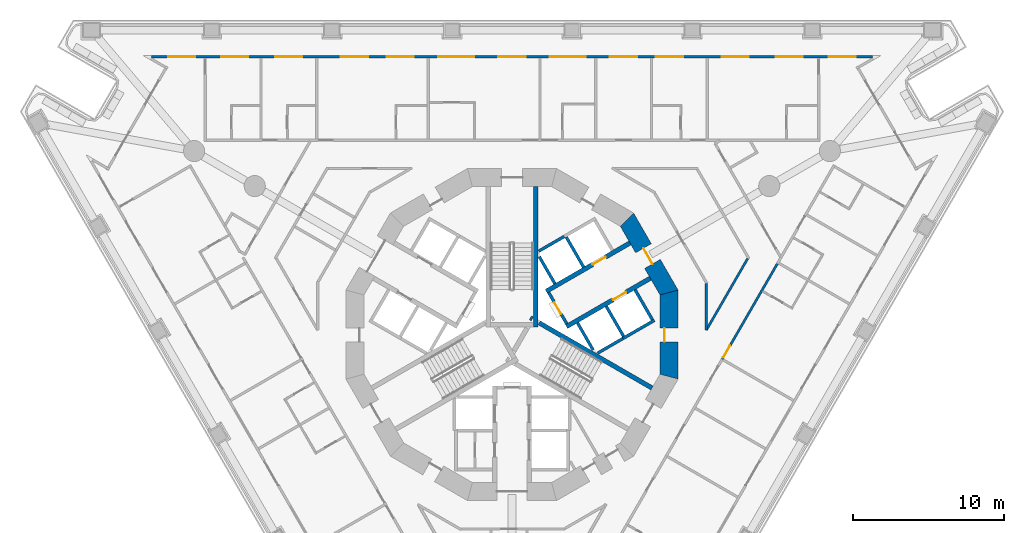
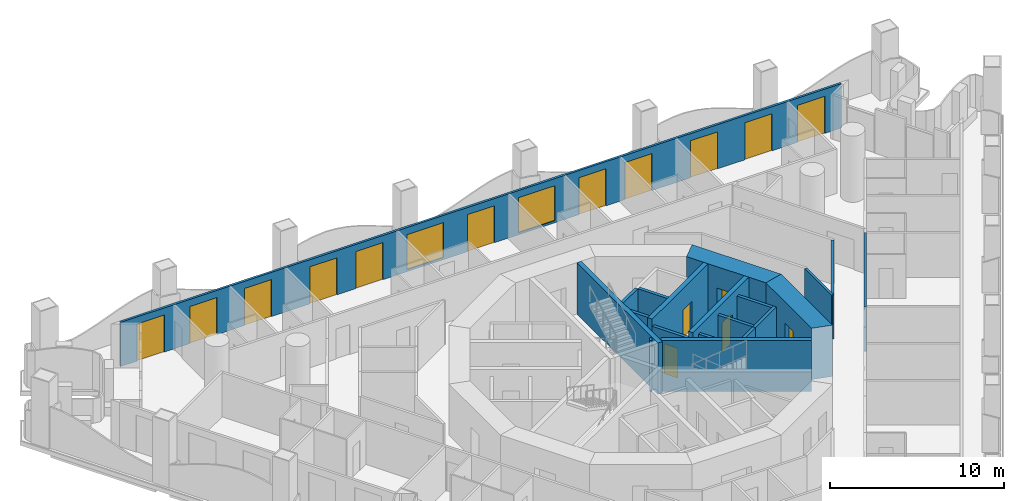
# One storey, part 8 of 19: 20 walls, 17 doors, 2 windows, 19 openings.
"""IFC4 building model written with IfcOpenShell, lengths in metres."""

from ifc_helpers import new_model, si_unit, direction, frame, frame_2d, origin, place, context, subcontext, project, spatial, polyline, rectangle, outline, extrude, material, layer, layer_set, type_object, element, fill, save


model = new_model("IFC4")

# Units and contexts
model_context = context("Model", 3, precision=1e-05, world=origin(), true_north=direction((0.0, 1.0)))
body_context = subcontext(model_context, "Body", "Model", "MODEL_VIEW")
ifc_project = project(units=[si_unit("LENGTHUNIT", "METRE"), si_unit("AREAUNIT", "SQUARE_METRE"), si_unit("VOLUMEUNIT", "CUBIC_METRE"), si_unit("PLANEANGLEUNIT", "RADIAN"), si_unit("MASSUNIT", "GRAM", prefix="KILO")], contexts=[model_context])

# Site, building, storey
site_placement = place(None, origin())
site = spatial("IfcSite", under=ifc_project, at=site_placement, CompositionType="ELEMENT")
building_placement = place(site_placement, origin())
building = spatial("IfcBuilding", under=site, at=building_placement, Name="Trine Commons Tower", CompositionType="ELEMENT")
storey_placement = place(building_placement, frame((0.0, 0.0, 42.300048828125)))
storey = spatial("IfcBuildingStorey", under=building, at=storey_placement, Name="L09", CompositionType="ELEMENT", Elevation=42.300048828125)

# Wall, openings, windows, doors
ifc_material_1 = material(Name="Aluminium-framed insulated wall panel", Category="aluminium")
ifc_layer_1 = layer(ifc_material_1, 0.14990234375)
ifc_layer_set_1 = layer_set([ifc_layer_1], Name="Aluminium-framed insulated wall panel")
wall_type_1 = type_object("IfcWallType", Name="Glazed frame wall 150, EI 60", PredefinedType="SOLIDWALL", material=ifc_layer_set_1)
wall_1_placement = place(storey_placement, frame((55.956787109375, 80.919677734375, 0.0), z_axis=(0.0, 0.0, 1.0), x_axis=(1.0, 0.0, 0.0)))
wall_1 = element("IfcWall", 1, at=wall_1_placement, inside=storey, type_object=wall_type_1, Name="Glazed frame wall F1", PredefinedType="SOLIDWALL", context=body_context, shape_type="SweptSolid", body=[
    extrude(outline(polyline([(0.1494140625, 0.074951171875), (0.1494140625, -0.074951171875), (47.93701171875, -0.074951171875), (47.93701171875, 0.074951171875), (0.1494140625, 0.074951171875)])), origin(), (0.0, 0.0, 1.0), 3.099853515625),
])
opening_1_placement = place(wall_1_placement, frame((1.24951171875, 0.0, 0.0)))
opening_1 = element("IfcOpeningElement", 2, at=opening_1_placement, cuts=wall_1, Name="Opening BD-1F1-01", PredefinedType="OPENING", context=body_context, shape_type="SweptSolid", body=[
    extrude(rectangle(XDim=1.800048828125, YDim=2.60009765625, at=frame_2d((0.89990234375, 1.300048828125))), frame((0.0, 0.0849609375, 0.0), z_axis=(0.0, -1.0, 0.0), x_axis=(1.0, 0.0, 0.0)), (0.0, 0.0, 1.0), 0.169921875),
])
opening_2_placement = place(wall_1_placement, frame((4.748291015625, 0.0, 0.0)))
opening_2 = element("IfcOpeningElement", 3, at=opening_2_placement, cuts=wall_1, Name="Opening BD-1F1-02", PredefinedType="OPENING", context=body_context, shape_type="SweptSolid", body=[
    extrude(rectangle(XDim=1.800048828125, YDim=2.60009765625, at=frame_2d((0.89990234375, 1.300048828125))), frame((0.0, 0.0849609375, 0.0), z_axis=(0.0, -1.0, 0.0), x_axis=(1.0, 0.0, 0.0)), (0.0, 0.0, 1.0), 0.169921875),
])
opening_3_placement = place(wall_1_placement, frame((8.347412109375, 0.0, 0.0)))
opening_3 = element("IfcOpeningElement", 4, at=opening_3_placement, cuts=wall_1, Name="Opening BD-1F1-03", PredefinedType="OPENING", context=body_context, shape_type="SweptSolid", body=[
    extrude(rectangle(XDim=1.800048828125, YDim=2.60009765625, at=frame_2d((0.89990234375, 1.300048828125))), frame((0.0, 0.0849609375, 0.0), z_axis=(0.0, -1.0, 0.0), x_axis=(1.0, 0.0, 0.0)), (0.0, 0.0, 1.0), 0.169921875),
])
opening_4_placement = place(wall_1_placement, frame((12.69580078125, 0.0, 0.0)))
opening_4 = element("IfcOpeningElement", 5, at=opening_4_placement, cuts=wall_1, Name="Opening BD-1F1-04", PredefinedType="OPENING", context=body_context, shape_type="SweptSolid", body=[
    extrude(rectangle(XDim=1.800048828125, YDim=2.60009765625, at=frame_2d((0.89990234375, 1.300048828125))), frame((0.0, 0.0849609375, 0.0), z_axis=(0.0, -1.0, 0.0), x_axis=(1.0, 0.0, 0.0)), (0.0, 0.0, 1.0), 0.169921875),
])
opening_5_placement = place(wall_1_placement, frame((15.7451171875, 0.0, 0.0)))
opening_5 = element("IfcOpeningElement", 6, at=opening_5_placement, cuts=wall_1, Name="Opening BD-1F1-05", PredefinedType="OPENING", context=body_context, shape_type="SweptSolid", body=[
    extrude(rectangle(XDim=1.800048828125, YDim=2.60009765625, at=frame_2d((0.89990234375, 1.300048828125))), frame((0.0, 0.0849609375, 0.0), z_axis=(0.0, -1.0, 0.0), x_axis=(1.0, 0.0, 0.0)), (0.0, 0.0, 1.0), 0.169921875),
])
opening_6_placement = place(wall_1_placement, frame((19.14404296875, 0.0, 0.14990234375)))
opening_6 = element("IfcOpeningElement", 7, at=opening_6_placement, cuts=wall_1, Name="Opening W-1F1-06", PredefinedType="OPENING", context=body_context, shape_type="SweptSolid", body=[
    extrude(rectangle(XDim=2.39990234375, YDim=2.449951171875, at=frame_2d((1.199951171875, 1.22509765625))), frame((0.0, 0.0849609375, 0.0), z_axis=(0.0, -1.0, 0.0), x_axis=(1.0, 0.0, 0.0)), (0.0, 0.0, 1.0), 0.169921875),
])
opening_7_placement = place(wall_1_placement, frame((23.142822265625, 0.0, 0.0)))
opening_7 = element("IfcOpeningElement", 8, at=opening_7_placement, cuts=wall_1, Name="Opening BD-1F1-07", PredefinedType="OPENING", context=body_context, shape_type="SweptSolid", body=[
    extrude(rectangle(XDim=1.800048828125, YDim=2.60009765625, at=frame_2d((0.89990234375, 1.300048828125))), frame((0.0, 0.0849609375, 0.0), z_axis=(0.0, -1.0, 0.0), x_axis=(1.0, 0.0, 0.0)), (0.0, 0.0, 1.0), 0.169921875),
])
opening_8_placement = place(wall_1_placement, frame((26.541748046875, 0.0, 0.14990234375)))
opening_8 = element("IfcOpeningElement", 9, at=opening_8_placement, cuts=wall_1, Name="Opening W-1F1-08", PredefinedType="OPENING", context=body_context, shape_type="SweptSolid", body=[
    extrude(rectangle(XDim=2.39990234375, YDim=2.449951171875, at=frame_2d((1.199951171875, 1.22509765625))), frame((0.0, 0.0849609375, 0.0), z_axis=(0.0, -1.0, 0.0), x_axis=(1.0, 0.0, 0.0)), (0.0, 0.0, 1.0), 0.169921875),
])
opening_9_placement = place(wall_1_placement, frame((30.54052734375, 0.0, 0.0)))
opening_9 = element("IfcOpeningElement", 10, at=opening_9_placement, cuts=wall_1, Name="Opening BD-1F1-09", PredefinedType="OPENING", context=body_context, shape_type="SweptSolid", body=[
    extrude(rectangle(XDim=1.800048828125, YDim=2.60009765625, at=frame_2d((0.89990234375, 1.300048828125))), frame((0.0, 0.0849609375, 0.0), z_axis=(0.0, -1.0, 0.0), x_axis=(1.0, 0.0, 0.0)), (0.0, 0.0, 1.0), 0.169921875),
])
opening_10_placement = place(wall_1_placement, frame((33.590087890625, 0.0, 0.0)))
opening_10 = element("IfcOpeningElement", 11, at=opening_10_placement, cuts=wall_1, Name="Opening BD-1F1-10", PredefinedType="OPENING", context=body_context, shape_type="SweptSolid", body=[
    extrude(rectangle(XDim=1.800048828125, YDim=2.60009765625, at=frame_2d((0.89990234375, 1.300048828125))), frame((0.0, 0.0849609375, 0.0), z_axis=(0.0, -1.0, 0.0), x_axis=(1.0, 0.0, 0.0)), (0.0, 0.0, 1.0), 0.169921875),
])
opening_11_placement = place(wall_1_placement, frame((37.9384765625, 0.0, 0.0)))
opening_11 = element("IfcOpeningElement", 12, at=opening_11_placement, cuts=wall_1, Name="Opening BD-1F1-11", PredefinedType="OPENING", context=body_context, shape_type="SweptSolid", body=[
    extrude(rectangle(XDim=1.800048828125, YDim=2.60009765625, at=frame_2d((0.89990234375, 1.300048828125))), frame((0.0, 0.0849609375, 0.0), z_axis=(0.0, -1.0, 0.0), x_axis=(1.0, 0.0, 0.0)), (0.0, 0.0, 1.0), 0.169921875),
])
opening_12_placement = place(wall_1_placement, frame((41.537353515625, 0.0, 0.0)))
opening_12 = element("IfcOpeningElement", 13, at=opening_12_placement, cuts=wall_1, Name="Opening BD-1F1-12", PredefinedType="OPENING", context=body_context, shape_type="SweptSolid", body=[
    extrude(rectangle(XDim=1.800048828125, YDim=2.60009765625, at=frame_2d((0.89990234375, 1.300048828125))), frame((0.0, 0.0849609375, 0.0), z_axis=(0.0, -1.0, 0.0), x_axis=(1.0, 0.0, 0.0)), (0.0, 0.0, 1.0), 0.169921875),
])
opening_13_placement = place(wall_1_placement, frame((45.036376953125, 0.0, 0.0)))
opening_13 = element("IfcOpeningElement", 14, at=opening_13_placement, cuts=wall_1, Name="Opening BD-1F1-13", PredefinedType="OPENING", context=body_context, shape_type="SweptSolid", body=[
    extrude(rectangle(XDim=1.800048828125, YDim=2.60009765625, at=frame_2d((0.89990234375, 1.300048828125))), frame((0.0, 0.0849609375, 0.0), z_axis=(0.0, -1.0, 0.0), x_axis=(1.0, 0.0, 0.0)), (0.0, 0.0, 1.0), 0.169921875),
])
ifc_material_2 = material(Name="Anodised aluminium frame with double glazing", Category="aluminium")
window_type = type_object("IfcWindowType", Name="Fixed window 2400x2450", PartitioningType="SINGLE_PANEL", PredefinedType="WINDOW", material=ifc_material_2)
window_1_placement = place(opening_6_placement, origin())
window_1 = element("IfcWindow", 15, at=window_1_placement, inside=storey, type_object=window_type, Name="Window F1 6", OverallHeight=2.449951171875, OverallWidth=2.39990234375, PartitioningType="SINGLE_PANEL", PredefinedType="WINDOW", context=body_context, shape_type="SweptSolid", body=[
    extrude(rectangle(XDim=2.39990234375, YDim=2.449951171875, at=frame_2d((1.199951171875, 1.22509765625))), frame((0.0, 0.030029296875, 0.0), z_axis=(0.0, -1.0, 0.0), x_axis=(1.0, 0.0, 0.0)), (0.0, 0.0, 1.0), 0.06005859375),
])
fill(opening_6, window_1)
window_2_placement = place(opening_8_placement, origin())
window_2 = element("IfcWindow", 16, at=window_2_placement, inside=storey, type_object=window_type, Name="Window F1 8", OverallHeight=2.449951171875, OverallWidth=2.39990234375, PartitioningType="SINGLE_PANEL", PredefinedType="WINDOW", context=body_context, shape_type="SweptSolid", body=[
    extrude(rectangle(XDim=2.39990234375, YDim=2.449951171875, at=frame_2d((1.199951171875, 1.22509765625))), frame((0.0, 0.030029296875, 0.0), z_axis=(0.0, -1.0, 0.0), x_axis=(1.0, 0.0, 0.0)), (0.0, 0.0, 1.0), 0.06005859375),
])
fill(opening_8, window_2)
door_type_1 = type_object("IfcDoorType", Name="Sliding loggia door 1800x2600", OperationType="SLIDING_TO_LEFT", PredefinedType="DOOR", material=ifc_material_2)
door_1_placement = place(opening_1_placement, origin())
door_1 = element("IfcDoor", 17, at=door_1_placement, inside=storey, type_object=door_type_1, Name="Loggia door F1 1", OperationType="SLIDING_TO_LEFT", OverallHeight=2.60009765625, OverallWidth=1.800048828125, PredefinedType="DOOR", context=body_context, shape_type="SweptSolid", body=[
    extrude(rectangle(XDim=1.800048828125, YDim=2.60009765625, at=frame_2d((0.89990234375, 1.300048828125))), frame((0.0, 0.02490234375, 0.0), z_axis=(0.0, -1.0, 0.0), x_axis=(1.0, 0.0, 0.0)), (0.0, 0.0, 1.0), 0.050048828125),
])
fill(opening_1, door_1)
door_2_placement = place(opening_2_placement, origin())
door_2 = element("IfcDoor", 18, at=door_2_placement, inside=storey, type_object=door_type_1, Name="Loggia door F1 2", OperationType="SLIDING_TO_LEFT", OverallHeight=2.60009765625, OverallWidth=1.800048828125, PredefinedType="DOOR", context=body_context, shape_type="SweptSolid", body=[
    extrude(rectangle(XDim=1.800048828125, YDim=2.60009765625, at=frame_2d((0.89990234375, 1.300048828125))), frame((0.0, 0.02490234375, 0.0), z_axis=(0.0, -1.0, 0.0), x_axis=(1.0, 0.0, 0.0)), (0.0, 0.0, 1.0), 0.050048828125),
])
fill(opening_2, door_2)
door_3_placement = place(opening_3_placement, origin())
door_3 = element("IfcDoor", 19, at=door_3_placement, inside=storey, type_object=door_type_1, Name="Loggia door F1 3", OperationType="SLIDING_TO_LEFT", OverallHeight=2.60009765625, OverallWidth=1.800048828125, PredefinedType="DOOR", context=body_context, shape_type="SweptSolid", body=[
    extrude(rectangle(XDim=1.800048828125, YDim=2.60009765625, at=frame_2d((0.89990234375, 1.300048828125))), frame((0.0, 0.02490234375, 0.0), z_axis=(0.0, -1.0, 0.0), x_axis=(1.0, 0.0, 0.0)), (0.0, 0.0, 1.0), 0.050048828125),
])
fill(opening_3, door_3)
door_4_placement = place(opening_4_placement, origin())
door_4 = element("IfcDoor", 20, at=door_4_placement, inside=storey, type_object=door_type_1, Name="Loggia door F1 4", OperationType="SLIDING_TO_LEFT", OverallHeight=2.60009765625, OverallWidth=1.800048828125, PredefinedType="DOOR", context=body_context, shape_type="SweptSolid", body=[
    extrude(rectangle(XDim=1.800048828125, YDim=2.60009765625, at=frame_2d((0.89990234375, 1.300048828125))), frame((0.0, 0.02490234375, 0.0), z_axis=(0.0, -1.0, 0.0), x_axis=(1.0, 0.0, 0.0)), (0.0, 0.0, 1.0), 0.050048828125),
])
fill(opening_4, door_4)
door_5_placement = place(opening_5_placement, origin())
door_5 = element("IfcDoor", 21, at=door_5_placement, inside=storey, type_object=door_type_1, Name="Loggia door F1 5", OperationType="SLIDING_TO_LEFT", OverallHeight=2.60009765625, OverallWidth=1.800048828125, PredefinedType="DOOR", context=body_context, shape_type="SweptSolid", body=[
    extrude(rectangle(XDim=1.800048828125, YDim=2.60009765625, at=frame_2d((0.89990234375, 1.300048828125))), frame((0.0, 0.02490234375, 0.0), z_axis=(0.0, -1.0, 0.0), x_axis=(1.0, 0.0, 0.0)), (0.0, 0.0, 1.0), 0.050048828125),
])
fill(opening_5, door_5)
door_6_placement = place(opening_7_placement, origin())
door_6 = element("IfcDoor", 22, at=door_6_placement, inside=storey, type_object=door_type_1, Name="Loggia door F1 7", OperationType="SLIDING_TO_LEFT", OverallHeight=2.60009765625, OverallWidth=1.800048828125, PredefinedType="DOOR", context=body_context, shape_type="SweptSolid", body=[
    extrude(rectangle(XDim=1.800048828125, YDim=2.60009765625, at=frame_2d((0.89990234375, 1.300048828125))), frame((0.0, 0.02490234375, 0.0), z_axis=(0.0, -1.0, 0.0), x_axis=(1.0, 0.0, 0.0)), (0.0, 0.0, 1.0), 0.050048828125),
])
fill(opening_7, door_6)
door_7_placement = place(opening_9_placement, origin())
door_7 = element("IfcDoor", 23, at=door_7_placement, inside=storey, type_object=door_type_1, Name="Loggia door F1 9", OperationType="SLIDING_TO_LEFT", OverallHeight=2.60009765625, OverallWidth=1.800048828125, PredefinedType="DOOR", context=body_context, shape_type="SweptSolid", body=[
    extrude(rectangle(XDim=1.800048828125, YDim=2.60009765625, at=frame_2d((0.89990234375, 1.300048828125))), frame((0.0, 0.02490234375, 0.0), z_axis=(0.0, -1.0, 0.0), x_axis=(1.0, 0.0, 0.0)), (0.0, 0.0, 1.0), 0.050048828125),
])
fill(opening_9, door_7)
door_8_placement = place(opening_10_placement, origin())
door_8 = element("IfcDoor", 24, at=door_8_placement, inside=storey, type_object=door_type_1, Name="Loggia door F1 10", OperationType="SLIDING_TO_LEFT", OverallHeight=2.60009765625, OverallWidth=1.800048828125, PredefinedType="DOOR", context=body_context, shape_type="SweptSolid", body=[
    extrude(rectangle(XDim=1.800048828125, YDim=2.60009765625, at=frame_2d((0.89990234375, 1.300048828125))), frame((0.0, 0.02490234375, 0.0), z_axis=(0.0, -1.0, 0.0), x_axis=(1.0, 0.0, 0.0)), (0.0, 0.0, 1.0), 0.050048828125),
])
fill(opening_10, door_8)
door_9_placement = place(opening_11_placement, origin())
door_9 = element("IfcDoor", 25, at=door_9_placement, inside=storey, type_object=door_type_1, Name="Loggia door F1 11", OperationType="SLIDING_TO_LEFT", OverallHeight=2.60009765625, OverallWidth=1.800048828125, PredefinedType="DOOR", context=body_context, shape_type="SweptSolid", body=[
    extrude(rectangle(XDim=1.800048828125, YDim=2.60009765625, at=frame_2d((0.89990234375, 1.300048828125))), frame((0.0, 0.02490234375, 0.0), z_axis=(0.0, -1.0, 0.0), x_axis=(1.0, 0.0, 0.0)), (0.0, 0.0, 1.0), 0.050048828125),
])
fill(opening_11, door_9)
door_10_placement = place(opening_12_placement, origin())
door_10 = element("IfcDoor", 26, at=door_10_placement, inside=storey, type_object=door_type_1, Name="Loggia door F1 12", OperationType="SLIDING_TO_LEFT", OverallHeight=2.60009765625, OverallWidth=1.800048828125, PredefinedType="DOOR", context=body_context, shape_type="SweptSolid", body=[
    extrude(rectangle(XDim=1.800048828125, YDim=2.60009765625, at=frame_2d((0.89990234375, 1.300048828125))), frame((0.0, 0.02490234375, 0.0), z_axis=(0.0, -1.0, 0.0), x_axis=(1.0, 0.0, 0.0)), (0.0, 0.0, 1.0), 0.050048828125),
])
fill(opening_12, door_10)
door_11_placement = place(opening_13_placement, origin())
door_11 = element("IfcDoor", 27, at=door_11_placement, inside=storey, type_object=door_type_1, Name="Loggia door F1 13", OperationType="SLIDING_TO_LEFT", OverallHeight=2.60009765625, OverallWidth=1.800048828125, PredefinedType="DOOR", context=body_context, shape_type="SweptSolid", body=[
    extrude(rectangle(XDim=1.800048828125, YDim=2.60009765625, at=frame_2d((0.89990234375, 1.300048828125))), frame((0.0, 0.02490234375, 0.0), z_axis=(0.0, -1.0, 0.0), x_axis=(1.0, 0.0, 0.0)), (0.0, 0.0, 1.0), 0.050048828125),
])
fill(opening_13, door_11)

# Wall, opening, door
ifc_material_3 = material(Name="Fire-rated gypsum shaft wall system")
ifc_layer_2 = layer(ifc_material_3, 0.199951171875)
ifc_layer_set_2 = layer_set([ifc_layer_2], Name="Fire-rated gypsum shaft wall system")
wall_type_2 = type_object("IfcWallType", Name="Lobby end wall 200 mm, EI 120", PredefinedType="PARTITIONING", material=ifc_layer_set_2)
wall_2_placement = place(storey_placement, frame((83.631103515625, 63.2109375, 0.0), z_axis=(0.0, 0.0, 1.0), x_axis=(-0.50012165622, 0.865955154139, 0.0)))
wall_2 = element("IfcWall", 28, at=wall_2_placement, inside=storey, type_object=wall_type_2, Name="Lobby end wall L09", PredefinedType="PARTITIONING", context=body_context, shape_type="SweptSolid", body=[
    extrude(rectangle(XDim=2.39990234375, YDim=0.199951171875, at=frame_2d((1.199951171875, 0.0))), origin(), (0.0, 0.0, 1.0), 3.099853515625),
])
opening_14_placement = place(wall_2_placement, frame((0.749755859375, 0.0, 0.0)))
opening_14 = element("IfcOpeningElement", 29, at=opening_14_placement, cuts=wall_2, Name="Opening K04.05", PredefinedType="OPENING", context=body_context, shape_type="SweptSolid", body=[
    extrude(rectangle(XDim=0.89990234375, YDim=2.10009765625, at=frame_2d((0.449951171875, 1.050048828125))), frame((0.0, 0.10986328125, 0.0), z_axis=(0.0, -1.0, 0.0), x_axis=(1.0, 0.0, 0.0)), (0.0, 0.0, 1.0), 0.219970703125),
])
ifc_material_4 = material(Name="Steel door leaf, fire-rated", Category="steel")
door_type_2 = type_object("IfcDoorType", Name="Riser access door, single leaf 900 x 2100, FD60", OperationType="SINGLE_SWING_LEFT", PredefinedType="DOOR", material=ifc_material_4)
door_12_placement = place(opening_14_placement, frame((0.89990234375, 0.0, 0.0), z_axis=(0.0, 0.0, 1.0), x_axis=(-1.0, 0.0, 0.0)))
door_12 = element("IfcDoor", 30, at=door_12_placement, inside=storey, type_object=door_type_2, Name="Riser door, Electrical riser L09", OperationType="SINGLE_SWING_LEFT", OverallHeight=2.10009765625, OverallWidth=0.89990234375, PredefinedType="DOOR", context=body_context, shape_type="SweptSolid", body=[
    extrude(rectangle(XDim=0.89990234375, YDim=2.10009765625, at=frame_2d((0.449951171875, 1.050048828125))), frame((0.0, 0.02490234375, 0.0), z_axis=(0.0, -1.0, 0.0), x_axis=(1.0, 0.0, 0.0)), (0.0, 0.0, 1.0), 0.050048828125),
])
fill(opening_14, door_12)

ifc_material_5 = material(Name="Concrete C80/95", Category="concrete")
ifc_layer_3 = layer(ifc_material_5, 1.199951171875)
ifc_layer_set_3 = layer_set([ifc_layer_3], Name="Concrete C80/95")
wall_type_3 = type_object("IfcWallType", Name="RC shear wall 1200 mm, C80/95", PredefinedType="SHEAR", material=ifc_layer_set_3)
wall_3_placement = place(storey_placement, frame((90.41162109375, 59.549560546875, 0.0), z_axis=(0.0, 0.0, 1.0), x_axis=(0.0, 1.0, 0.0)))
wall_3 = element("IfcWall", 31, at=wall_3_placement, inside=storey, type_object=wall_type_3, Name="Core wall CWA-01 L09", PredefinedType="SHEAR", context=body_context, shape_type="SweptSolid", body=[
    extrude(outline(polyline([(0.0, -0.60009765625), (5.90087890625, -0.60009765625), (5.57958984375, 0.60009765625), (0.321533203125, 0.60009765625), (0.0, -0.60009765625)])), origin(), (0.0, 0.0, 1.0), 3.599853515625),
])
opening_15_placement = place(wall_3_placement, frame((2.4755859375, 0.0, 0.0)))
opening_15 = element("IfcOpeningElement", 32, at=opening_15_placement, cuts=wall_3, Name="Opening K04.18", PredefinedType="OPENING", context=body_context, shape_type="SweptSolid", body=[
    extrude(rectangle(XDim=0.89990234375, YDim=2.10009765625, at=frame_2d((0.449951171875, 1.050048828125))), frame((0.0, 0.60986328125, 0.0), z_axis=(0.0, -1.0, 0.0), x_axis=(1.0, 0.0, 0.0)), (0.0, 0.0, 1.0), 1.219970703125),
])
door_type_3 = type_object("IfcDoorType", Name="Core room door, single leaf 900 x 2100, FD30S", OperationType="SINGLE_SWING_LEFT", PredefinedType="DOOR", material=ifc_material_4)
door_13_placement = place(opening_15_placement, origin())
door_13 = element("IfcDoor", 33, at=door_13_placement, inside=storey, type_object=door_type_3, Name="Door to Parcel store L09", OperationType="SINGLE_SWING_LEFT", OverallHeight=2.10009765625, OverallWidth=0.89990234375, PredefinedType="DOOR", context=body_context, shape_type="SweptSolid", body=[
    extrude(rectangle(XDim=0.89990234375, YDim=2.10009765625, at=frame_2d((0.449951171875, 1.050048828125))), frame((0.0, 0.3251953125, 0.0), z_axis=(0.0, -1.0, 0.0), x_axis=(1.0, 0.0, 0.0)), (0.0, 0.0, 1.0), 0.050048828125),
])
fill(opening_15, door_13)

wall_4_placement = place(storey_placement, frame((90.491943359375, 65.150390625, 0.0), z_axis=(0.0, 0.0, 1.0), x_axis=(-0.499979111662, 0.866037463336, 0.0)))
wall_4 = element("IfcWall", 34, at=wall_4_placement, inside=storey, type_object=wall_type_3, Name="Core wall CWA-02 L09", PredefinedType="SHEAR", context=body_context, shape_type="SweptSolid", body=[
    extrude(outline(polyline([(0.0, -0.60009765625), (5.901123046875, -0.60009765625), (5.57958984375, 0.60009765625), (0.321533203125, 0.60009765625), (0.0, -0.60009765625)])), origin(), (0.0, 0.0, 1.0), 3.599853515625),
])
opening_16_placement = place(wall_4_placement, frame((2.3505859375, 0.0, 0.0)))
opening_16 = element("IfcOpeningElement", 35, at=opening_16_placement, cuts=wall_4, Name="Opening K04.04", PredefinedType="OPENING", context=body_context, shape_type="SweptSolid", body=[
    extrude(rectangle(XDim=1.199951171875, YDim=2.10009765625, at=frame_2d((0.60009765625, 1.050048828125))), frame((0.0, 0.60986328125, 0.0), z_axis=(0.0, -1.0, 0.0), x_axis=(1.0, 0.0, 0.0)), (0.0, 0.0, 1.0), 1.219970703125),
])
ifc_material_6 = material(Name="Steel door leaves, fire-rated", Category="steel")
door_type_4 = type_object("IfcDoorType", Name="Lobby door, double leaf 1200 x 2100, FD60", OperationType="DOUBLE_DOOR_SINGLE_SWING", PredefinedType="DOOR", material=ifc_material_6)
door_14_placement = place(opening_16_placement, origin())
door_14 = element("IfcDoor", 36, at=door_14_placement, inside=storey, type_object=door_type_4, Name="Lobby door, Passenger lift lobby A L09", OperationType="DOUBLE_DOOR_SINGLE_SWING", OverallHeight=2.10009765625, OverallWidth=1.199951171875, PredefinedType="DOOR", context=body_context, shape_type="SweptSolid", body=[
    extrude(rectangle(XDim=1.199951171875, YDim=2.10009765625, at=frame_2d((0.60009765625, 1.050048828125))), frame((0.0, 0.02490234375, 0.0), z_axis=(0.0, -1.0, 0.0), x_axis=(1.0, 0.0, 0.0)), (0.0, 0.0, 1.0), 0.050048828125),
])
fill(opening_16, door_14)

ifc_layer_4 = layer(ifc_material_5, 0.300048828125)
ifc_layer_set_4 = layer_set([ifc_layer_4], Name="Concrete C80/95")
wall_type_4 = type_object("IfcWallType", Name="RC shear wall 300 mm, C80/95", PredefinedType="SHEAR", material=ifc_layer_set_4)
wall_5_placement = place(storey_placement, frame((82.26904296875, 65.368896484375, 0.0), z_axis=(0.0, 0.0, 1.0), x_axis=(0.866022631842, 0.500004801114, 0.0)))
wall_5 = element("IfcWall", 37, at=wall_5_placement, inside=storey, type_object=wall_type_4, Name="Core cross wall SWA-05 L09", PredefinedType="SHEAR", context=body_context, shape_type="SweptSolid", body=[
    extrude(rectangle(XDim=6.412109375, YDim=0.300048828125, at=frame_2d((3.2060546875, 0.0))), origin(), (0.0, 0.0, 1.0), 3.599853515625),
])
opening_17_placement = place(wall_5_placement, frame((3.55029296875, 0.0, 0.0)))
opening_17 = element("IfcOpeningElement", 38, at=opening_17_placement, cuts=wall_5, Name="Opening LD1", PredefinedType="OPENING", context=body_context, shape_type="SweptSolid", body=[
    extrude(rectangle(XDim=1.0, YDim=2.10009765625, at=frame_2d((0.5, 1.050048828125))), frame((0.0, 0.159912109375, 0.0), z_axis=(0.0, -1.0, 0.0), x_axis=(1.0, 0.0, 0.0)), (0.0, 0.0, 1.0), 0.320068359375),
])
ifc_material_7 = material(Name="Stainless steel sliding door leaves", Category="steel")
door_type_5 = type_object("IfcDoorType", Name="Lift landing door, centre-opening sliding 1000 x 2100, FD90", OperationType="DOUBLE_DOOR_SLIDING", PredefinedType="DOOR", material=ifc_material_7)
door_15_placement = place(opening_17_placement, origin())
door_15 = element("IfcDoor", 39, at=door_15_placement, inside=storey, type_object=door_type_5, Name="Lift landing door LR1 L09", OperationType="DOUBLE_DOOR_SLIDING", OverallHeight=2.10009765625, OverallWidth=1.0, PredefinedType="DOOR", context=body_context, shape_type="SweptSolid", body=[
    extrude(rectangle(XDim=1.0, YDim=2.10009765625, at=frame_2d((0.5, 1.050048828125))), frame((0.0, 0.02490234375, 0.0), z_axis=(0.0, -1.0, 0.0), x_axis=(1.0, 0.0, 0.0)), (0.0, 0.0, 1.0), 0.050048828125),
])
fill(opening_17, door_15)

wall_6_placement = place(storey_placement, frame((83.618896484375, 63.031005859375, 0.0), z_axis=(0.0, 0.0, 1.0), x_axis=(0.866032150378, 0.499988314375, 0.0)))
wall_6 = element("IfcWall", 40, at=wall_6_placement, inside=storey, type_object=wall_type_4, Name="Core cross wall SWA-06 L09", PredefinedType="SHEAR", context=body_context, shape_type="SweptSolid", body=[
    extrude(rectangle(XDim=6.412353515625, YDim=0.300048828125, at=frame_2d((3.2060546875, 0.0))), origin(), (0.0, 0.0, 1.0), 3.599853515625),
])
opening_18_placement = place(wall_6_placement, frame((3.55029296875, 0.0, 0.0)))
opening_18 = element("IfcOpeningElement", 41, at=opening_18_placement, cuts=wall_6, Name="Opening LD2", PredefinedType="OPENING", context=body_context, shape_type="SweptSolid", body=[
    extrude(rectangle(XDim=1.0, YDim=2.10009765625, at=frame_2d((0.5, 1.050048828125))), frame((0.0, 0.159912109375, 0.0), z_axis=(0.0, -1.0, 0.0), x_axis=(1.0, 0.0, 0.0)), (0.0, 0.0, 1.0), 0.320068359375),
])
door_16_placement = place(opening_18_placement, origin())
door_16 = element("IfcDoor", 42, at=door_16_placement, inside=storey, type_object=door_type_5, Name="Lift landing door LR2 L09", OperationType="DOUBLE_DOOR_SLIDING", OverallHeight=2.10009765625, OverallWidth=1.0, PredefinedType="DOOR", context=body_context, shape_type="SweptSolid", body=[
    extrude(rectangle(XDim=1.0, YDim=2.10009765625, at=frame_2d((0.5, 1.050048828125))), frame((0.0, 0.02490234375, 0.0), z_axis=(0.0, -1.0, 0.0), x_axis=(1.0, 0.0, 0.0)), (0.0, 0.0, 1.0), 0.050048828125),
])
fill(opening_18, door_16)

# Walls
wall_7_placement = place(storey_placement, frame((81.220947265625, 63.614013671875, 0.0), z_axis=(0.0, 0.0, 1.0), x_axis=(0.867737973955, -0.497021939713, 0.0)))
element("IfcWall", 43, at=wall_7_placement, inside=storey, type_object=wall_type_4, Name="Core cross wall SWA-15 L09", PredefinedType="SHEAR", context=body_context, shape_type="SweptSolid", body=[
    extrude(rectangle(XDim=0.14892578125, YDim=0.300048828125, at=frame_2d((0.074462890625, 0.0))), origin(), (0.0, 0.0, 1.0), 3.599853515625),
])
wall_8_placement = place(storey_placement, frame((81.574951171875, 63.0009765625, 0.0), z_axis=(0.0, 0.0, 1.0), x_axis=(0.0, 1.0, 0.0)))
element("IfcWall", 44, at=wall_8_placement, inside=storey, type_object=wall_type_4, Name="Core cross wall SWA-17 L09", PredefinedType="SHEAR", context=body_context, shape_type="SweptSolid", body=[
    extrude(rectangle(XDim=9.31103515625, YDim=0.300048828125, at=frame_2d((4.655517578125, 0.0))), origin(), (0.0, 0.0, 1.0), 3.599853515625),
])
wall_9_placement = place(storey_placement, frame((81.800048828125, 63.280029296875, 0.0), z_axis=(0.0, 0.0, 1.0), x_axis=(0.865965399159, -0.500103916661, 0.0)))
element("IfcWall", 45, at=wall_9_placement, inside=storey, type_object=wall_type_4, Name="Core cross wall SWA-18 L09", PredefinedType="SHEAR", context=body_context, shape_type="SweptSolid", body=[
    extrude(rectangle(XDim=8.642333984375, YDim=0.300048828125, at=frame_2d((4.3212890625, 0.0))), origin(), (0.0, 0.0, 1.0), 3.599853515625),
])
ifc_layer_5 = layer(ifc_material_3, 0.199951171875)
ifc_layer_set_5 = layer_set([ifc_layer_5], Name="Fire-rated gypsum shaft wall system")
wall_type_5 = type_object("IfcWallType", Name="Shaft wall 200 mm, EI 120", PredefinedType="PARTITIONING", material=ifc_layer_set_5)
wall_10_placement = place(storey_placement, frame((81.77490234375, 68.028076171875, 0.0), z_axis=(0.0, 0.0, 1.0), x_axis=(0.866052014814, 0.499953905513, 0.0)))
element("IfcWall", 46, at=wall_10_placement, inside=storey, type_object=wall_type_5, Name="Shaft wall L09", PredefinedType="PARTITIONING", context=body_context, shape_type="SweptSolid", body=[
    extrude(rectangle(XDim=1.947998046875, YDim=0.199951171875, at=frame_2d((0.97412109375, 0.0))), origin(), (0.0, 0.0, 1.0), 3.099853515625),
])
wall_11_placement = place(storey_placement, frame((82.843994140625, 65.8740234375, 0.0), z_axis=(0.0, 0.0, 1.0), x_axis=(-0.499865770674, 0.866102887253, 0.0)))
element("IfcWall", 47, at=wall_11_placement, inside=storey, type_object=wall_type_5, Name="Shaft wall L09", PredefinedType="PARTITIONING", context=body_context, shape_type="SweptSolid", body=[
    extrude(rectangle(XDim=2.064453125, YDim=0.199951171875, at=frame_2d((1.0322265625, 0.0))), origin(), (0.0, 0.0, 1.0), 3.099853515625),
])
wall_12_placement = place(storey_placement, frame((84.343994140625, 63.27587890625, 0.0), z_axis=(0.0, 0.0, 1.0), x_axis=(0.500271688072, -0.86586848777, 0.0)))
element("IfcWall", 48, at=wall_12_placement, inside=storey, type_object=wall_type_5, Name="Shaft wall L09", PredefinedType="PARTITIONING", context=body_context, shape_type="SweptSolid", body=[
    extrude(rectangle(XDim=2.064697265625, YDim=0.199951171875, at=frame_2d((1.0322265625, 0.0))), origin(), (0.0, 0.0, 1.0), 3.099853515625),
])
wall_13_placement = place(storey_placement, frame((84.7490234375, 66.97412109375, 0.0), z_axis=(0.0, 0.0, 1.0), x_axis=(-0.500136062276, 0.86594683394, 0.0)))
element("IfcWall", 49, at=wall_13_placement, inside=storey, type_object=wall_type_5, Name="Shaft wall L09", PredefinedType="PARTITIONING", context=body_context, shape_type="SweptSolid", body=[
    extrude(rectangle(XDim=2.299072265625, YDim=0.199951171875, at=frame_2d((1.1494140625, 0.0))), origin(), (0.0, 0.0, 1.0), 3.099853515625),
])
wall_14_placement = place(storey_placement, frame((85.675048828125, 61.27294921875, 0.0), z_axis=(0.0, 0.0, 1.0), x_axis=(0.865780634835, 0.500423712812, 0.0)))
element("IfcWall", 50, at=wall_14_placement, inside=storey, type_object=wall_type_5, Name="Shaft wall L09", PredefinedType="PARTITIONING", context=body_context, shape_type="SweptSolid", body=[
    extrude(rectangle(XDim=1.948486328125, YDim=0.199951171875, at=frame_2d((0.97412109375, 0.0))), origin(), (0.0, 0.0, 1.0), 3.099853515625),
])
wall_15_placement = place(storey_placement, frame((86.2490234375, 64.3759765625, 0.0), z_axis=(0.0, 0.0, 1.0), x_axis=(0.500136062276, -0.86594683394, 0.0)))
element("IfcWall", 51, at=wall_15_placement, inside=storey, type_object=wall_type_5, Name="Shaft wall L09", PredefinedType="PARTITIONING", context=body_context, shape_type="SweptSolid", body=[
    extrude(rectangle(XDim=2.299072265625, YDim=0.199951171875, at=frame_2d((1.1494140625, 0.0))), origin(), (0.0, 0.0, 1.0), 3.099853515625),
])
wall_16_placement = place(storey_placement, frame((87.362060546875, 62.248046875, 0.0), z_axis=(0.0, 0.0, 1.0), x_axis=(0.866177122335, 0.499737123639, 0.0)))
element("IfcWall", 52, at=wall_16_placement, inside=storey, type_object=wall_type_5, Name="Shaft wall L09", PredefinedType="PARTITIONING", context=body_context, shape_type="SweptSolid", body=[
    extrude(rectangle(XDim=2.401123046875, YDim=0.199951171875, at=frame_2d((1.20068359375, 0.0))), origin(), (0.0, 0.0, 1.0), 3.099853515625),
])
wall_17_placement = place(storey_placement, frame((88.155029296875, 65.47607421875, 0.0), z_axis=(0.0, 0.0, 1.0), x_axis=(0.500136062276, -0.86594683394, 0.0)))
element("IfcWall", 53, at=wall_17_placement, inside=storey, type_object=wall_type_5, Name="Shaft wall L09", PredefinedType="PARTITIONING", context=body_context, shape_type="SweptSolid", body=[
    extrude(rectangle(XDim=2.299072265625, YDim=0.199951171875, at=frame_2d((1.1494140625, 0.0))), origin(), (0.0, 0.0, 1.0), 3.099853515625),
])
ifc_material_8 = material(Name="Gypsum plasterboard on steel stud", Category="steel")
ifc_layer_6 = layer(ifc_material_8, 0.14990234375)
ifc_layer_set_6 = layer_set([ifc_layer_6], Name="Gypsum plasterboard on steel stud")
wall_type_6 = type_object("IfcWallType", Name="Unit and corridor wall 150 mm, EI 60", PredefinedType="PARTITIONING", material=ifc_layer_set_6)
wall_18_placement = place(storey_placement, frame((92.886962890625, 62.79296875, 0.0), z_axis=(0.0, 0.0, 1.0), x_axis=(0.0, 1.0, 0.0)))
element("IfcWall", 54, at=wall_18_placement, inside=storey, type_object=wall_type_6, Name="Partition 101", PredefinedType="PARTITIONING", context=body_context, shape_type="SweptSolid", body=[
    extrude(rectangle(XDim=3.0849609375, YDim=0.14990234375, at=frame_2d((1.54248046875, 0.0))), origin(), (0.0, 0.0, 1.0), 3.099853515625),
])
wall_19_placement = place(storey_placement, frame((92.886962890625, 62.797119140625, 0.0), z_axis=(0.0, 0.0, 1.0), x_axis=(0.500042392625, 0.866000927008, 0.0)))
element("IfcWall", 55, at=wall_19_placement, inside=storey, type_object=wall_type_6, Name="Partition 102", PredefinedType="PARTITIONING", context=body_context, shape_type="SweptSolid", body=[
    extrude(rectangle(XDim=5.482421875, YDim=0.14990234375, at=frame_2d((2.7412109375, 0.0))), origin(), (0.0, 0.0, 1.0), 3.099853515625),
])

# Wall, opening, door
wall_20_placement = place(storey_placement, frame((93.8955078125, 60.79296875, 0.0), z_axis=(0.0, 0.0, 1.0), x_axis=(0.499982342311, 0.866035598216, 0.0)))
wall_20 = element("IfcWall", 56, at=wall_20_placement, inside=storey, type_object=wall_type_6, Name="Partition 106", PredefinedType="PARTITIONING", context=body_context, shape_type="SweptSolid", body=[
    extrude(rectangle(XDim=7.481201171875, YDim=0.14990234375, at=frame_2d((3.74072265625, 0.0))), origin(), (0.0, 0.0, 1.0), 3.099853515625),
])
opening_19_placement = place(wall_20_placement, frame((0.22900390625, 0.0, 0.0)))
opening_19 = element("IfcOpeningElement", 57, at=opening_19_placement, cuts=wall_20, Name="Opening D-1B17", PredefinedType="OPENING", context=body_context, shape_type="SweptSolid", body=[
    extrude(rectangle(XDim=0.89990234375, YDim=2.10009765625, at=frame_2d((0.449951171875, 1.050048828125))), frame((0.0, 0.0849609375, 0.0), z_axis=(0.0, -1.0, 0.0), x_axis=(1.0, 0.0, 0.0)), (0.0, 0.0, 1.0), 0.169921875),
])
ifc_material_9 = material(Name="Timber fire door set", Category="wood")
door_type_6 = type_object("IfcDoorType", Name="Bedroom door 900 x 2100, FD30S", OperationType="NOTDEFINED", PredefinedType="DOOR", material=ifc_material_9)
door_17_placement = place(opening_19_placement, frame((0.89990234375, 0.0, 0.0), z_axis=(0.0, 0.0, 1.0), x_axis=(-1.0, 0.0, 0.0)))
door_17 = element("IfcDoor", 58, at=door_17_placement, inside=storey, type_object=door_type_6, Name="Door D-1B17", OperationType="SINGLE_SWING_RIGHT", OverallHeight=2.10009765625, OverallWidth=0.89990234375, PredefinedType="DOOR", context=body_context, shape_type="SweptSolid", body=[
    extrude(rectangle(XDim=0.89990234375, YDim=2.10009765625, at=frame_2d((0.449951171875, 1.050048828125))), frame((0.0, 0.02490234375, 0.0), z_axis=(0.0, -1.0, 0.0), x_axis=(1.0, 0.0, 0.0)), (0.0, 0.0, 1.0), 0.050048828125),
])
fill(opening_19, door_17)

save(model, "model.ifc")
